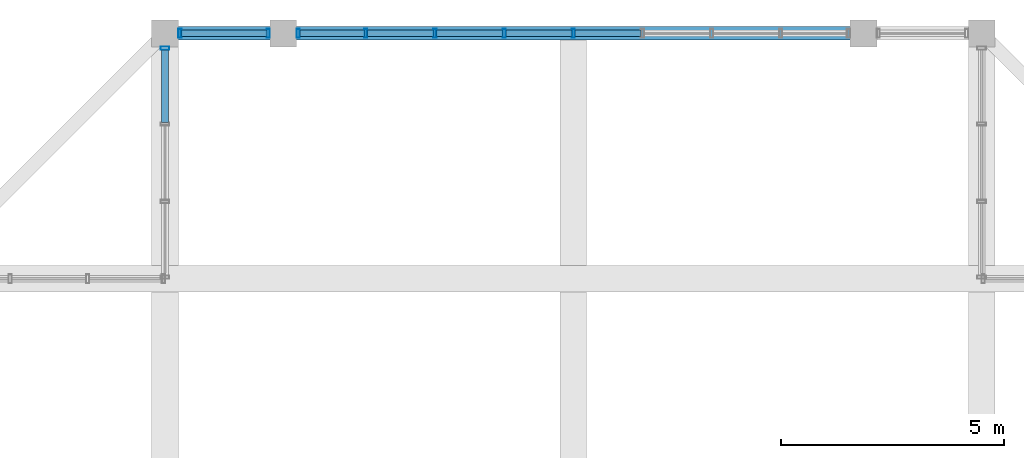
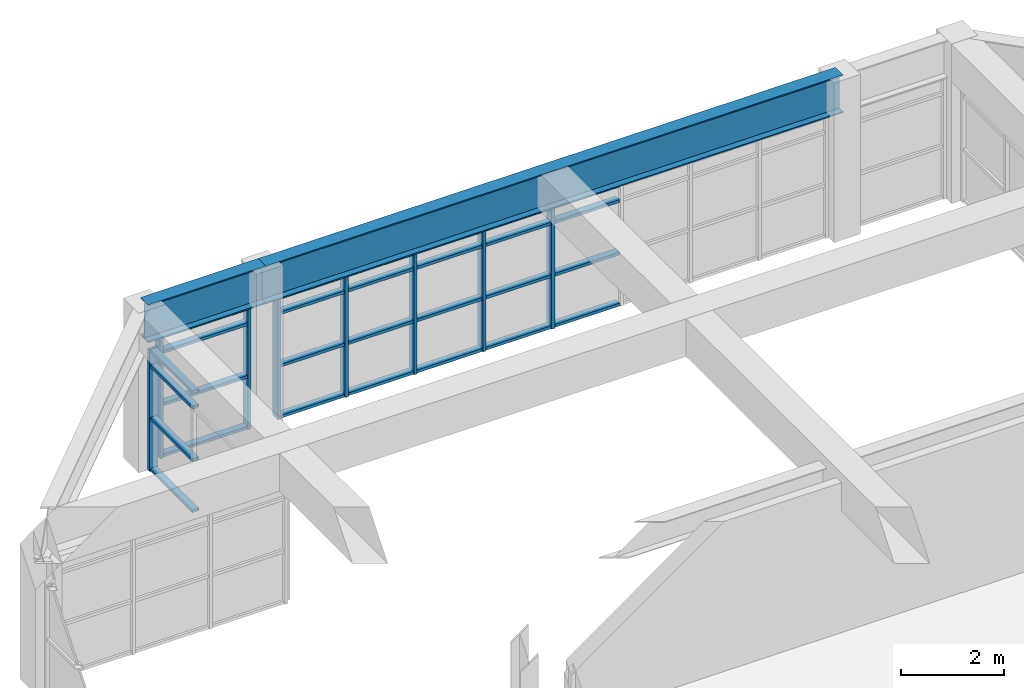
# One storey, part 20 of 28: 36 members, 2 beams, 3 elements without a shape of their own.
"""IFC4 building model written with IfcOpenShell, lengths in metres."""

from ifc_helpers import new_model, si_unit, direction, frame, origin, origin_2d, place, context, subcontext, project, spatial, hollow_rectangle, i_section, extrude, source, transform, mapped, material, layer, layer_set, material_profile, profile_set, type_object, element, aggregate, save


model = new_model("IFC4")

# Units and contexts
model_context = context("Model", 3, precision=1e-05, world=origin(), true_north=direction((0.0, 1.0)))
body_context = subcontext(model_context, "Body", "Model", "MODEL_VIEW")
ifc_project = project(units=[si_unit("LENGTHUNIT", "METRE"), si_unit("AREAUNIT", "SQUARE_METRE"), si_unit("VOLUMEUNIT", "CUBIC_METRE"), si_unit("PLANEANGLEUNIT", "RADIAN"), si_unit("MASSUNIT", "GRAM", prefix="KILO")], contexts=[model_context])

# Site, building, storey
site_placement = place(None, origin())
site = spatial("IfcSite", under=ifc_project, at=site_placement, CompositionType="ELEMENT")
building_placement = place(site_placement, origin())
building = spatial("IfcBuilding", under=site, at=building_placement, Name="Saelheon Loggia Tower", CompositionType="ELEMENT")
storey_placement = place(building_placement, frame((0.0, 0.0, 271.199951171875)))
storey = spatial("IfcBuildingStorey", under=building, at=storey_placement, Name="CR6", CompositionType="ELEMENT", Elevation=271.199951171875)

# Beams
ifc_material_1 = material(Name="Steel SM355", Category="steel")
ifc_material_profile_1 = material_profile(ifc_material_1, i_section(OverallWidth=0.300048828125, OverallDepth=0.89990234375, WebThickness=0.01611328125, FlangeThickness=0.028076171875, at=origin_2d()), Name="H-900x300x16x28")
ifc_profile_set_1 = profile_set([ifc_material_profile_1], Name="Steel SM355")
beam_type = type_object("IfcBeamType", Name="Beam_PoolGirder_Steel_H900", PredefinedType="BEAM", material=ifc_profile_set_1)
shared_shape_1 = source(origin(), body_context, "Body", "SweptSolid", [
    extrude(i_section(OverallWidth=0.300048828125, OverallDepth=0.89990234375, WebThickness=0.01611328125, FlangeThickness=0.028076171875, at=origin_2d()), origin(), (0.0, 0.0, 1.0), 2.64990234375),
])
beam_1_placement = place(storey_placement, frame((31.5, 47.64990234375, 3.35009765625), z_axis=(-1.0, 0.0, 0.0), x_axis=(0.0, -1.0, 0.0)))
element("IfcBeam", 1, at=beam_1_placement, inside=storey, type_object=beam_type, Name="CR6 CROWN FRAME Sill Girder 11", PredefinedType="BEAM", context=body_context, shape_type="MappedRepresentation", body=[
    mapped(shared_shape_1, transform((0.0, 0.0, 0.0), scale=1.0)),
])
shared_shape_2 = source(origin(), body_context, "Body", "SweptSolid", [
    extrude(i_section(OverallWidth=0.300048828125, OverallDepth=0.89990234375, WebThickness=0.01611328125, FlangeThickness=0.028076171875, at=origin_2d()), origin(), (0.0, 0.0, 1.0), 13.0),
])
beam_2_placement = place(storey_placement, frame((44.5, 47.64990234375, 3.35009765625), z_axis=(-1.0, 0.0, 0.0), x_axis=(0.0, -1.0, 0.0)))
element("IfcBeam", 2, at=beam_2_placement, inside=storey, type_object=beam_type, Name="CR6 CROWN FRAME Sill Girder 10", PredefinedType="BEAM", context=body_context, shape_type="MappedRepresentation", body=[
    mapped(shared_shape_2, transform((0.0, 0.0, 0.0), scale=1.0)),
])

# Curtain wall, members
ifc_material_2 = material(Name="Bronze-Anodised Aluminium and Fritted Ceramic Screen", Category="aluminium")
ifc_layer = layer(ifc_material_2, 0.219970703125)
ifc_layer_set = layer_set([ifc_layer], Name="Bronze-Anodised Aluminium and Fritted Ceramic Screen")
curtain_wall_type = type_object("IfcCurtainWallType", Name="CW_CrownScreen", PredefinedType="NOTDEFINED", material=ifc_layer_set)
curtain_wall_1_placement = place(storey_placement, origin())
curtain_wall_1 = element("IfcCurtainWall", 3, at=curtain_wall_1_placement, inside=storey, type_object=curtain_wall_type, Name="CR6 Crown Screen Curtain Wall 6-2", PredefinedType="NOTDEFINED")
ifc_material_3 = material(Name="Bronze-Anodised Aluminium 6063-T6", Category="aluminium")
ifc_material_profile_2 = material_profile(ifc_material_3, hollow_rectangle(XDim=0.070068359375, YDim=0.199951171875, WallThickness=0.0048828125, at=origin_2d()), Name="RHS-200x70x5")
ifc_profile_set_2 = profile_set([ifc_material_profile_2], Name="Bronze-Anodised Aluminium 6063-T6")
member_type_1 = type_object("IfcMemberType", Name="CW_CrownScreen_Mullion", PredefinedType="MULLION", material=ifc_profile_set_2)
shared_shape_3 = source(origin(), body_context, "Body", "SweptSolid", [
    extrude(hollow_rectangle(XDim=0.070068359375, YDim=0.199951171875, WallThickness=0.0048828125, at=origin_2d()), origin(), (0.0, 0.0, 1.0), 2.900146484375),
])
member_1_placement = place(storey_placement, frame((38.0, 47.64990234375, 0.0), z_axis=(0.0, 0.0, 1.0), x_axis=(-1.0, 0.0, 0.0)))
member_1 = element("IfcMember", 4, at=member_1_placement, type_object=member_type_1, Name="CW6 mullion 5", PredefinedType="MULLION", context=body_context, shape_type="MappedRepresentation", body=[
    mapped(shared_shape_3, transform((0.0, 0.0, 0.0), scale=1.0)),
])
member_2_placement = place(storey_placement, frame((36.449951171875, 47.64990234375, 0.0), z_axis=(0.0, 0.0, 1.0), x_axis=(-1.0, 0.0, 0.0)))
member_2 = element("IfcMember", 5, at=member_2_placement, type_object=member_type_1, Name="CW6 mullion 6", PredefinedType="MULLION", context=body_context, shape_type="MappedRepresentation", body=[
    mapped(shared_shape_3, transform((0.0, 0.0, 0.0), scale=1.0)),
])
member_3_placement = place(storey_placement, frame((34.89990234375, 47.64990234375, 0.0), z_axis=(0.0, 0.0, 1.0), x_axis=(-1.0, 0.0, 0.0)))
member_3 = element("IfcMember", 6, at=member_3_placement, type_object=member_type_1, Name="CW6 mullion 7", PredefinedType="MULLION", context=body_context, shape_type="MappedRepresentation", body=[
    mapped(shared_shape_3, transform((0.0, 0.0, 0.0), scale=1.0)),
])
member_4_placement = place(storey_placement, frame((33.35009765625, 47.64990234375, 0.0), z_axis=(0.0, 0.0, 1.0), x_axis=(-1.0, 0.0, 0.0)))
member_4 = element("IfcMember", 7, at=member_4_placement, type_object=member_type_1, Name="CW6 mullion 8", PredefinedType="MULLION", context=body_context, shape_type="MappedRepresentation", body=[
    mapped(shared_shape_3, transform((0.0, 0.0, 0.0), scale=1.0)),
])
member_5_placement = place(storey_placement, frame((31.8349609375, 47.64990234375, 0.0), z_axis=(0.0, 0.0, 1.0), x_axis=(-1.0, 0.0, 0.0)))
member_5 = element("IfcMember", 8, at=member_5_placement, type_object=member_type_1, Name="CW6 mullion 9", PredefinedType="MULLION", context=body_context, shape_type="MappedRepresentation", body=[
    mapped(shared_shape_3, transform((0.0, 0.0, 0.0), scale=1.0)),
])

curtain_wall_2_placement = place(storey_placement, origin())
curtain_wall_2 = element("IfcCurtainWall", 9, at=curtain_wall_2_placement, inside=storey, type_object=curtain_wall_type, Name="CR6 Crown Screen Curtain Wall 6-3", PredefinedType="NOTDEFINED")
member_6_placement = place(storey_placement, frame((31.1650390625, 47.64990234375, 0.0), z_axis=(0.0, 0.0, 1.0), x_axis=(-1.0, 0.0, 0.0)))
member_6 = element("IfcMember", 10, at=member_6_placement, type_object=member_type_1, Name="CW6 mullion 1", PredefinedType="MULLION", context=body_context, shape_type="MappedRepresentation", body=[
    mapped(shared_shape_3, transform((0.0, 0.0, 0.0), scale=1.0)),
])
member_7_placement = place(storey_placement, frame((29.18505859375, 47.64990234375, 0.0), z_axis=(0.0, 0.0, 1.0), x_axis=(-1.0, 0.0, 0.0)))
member_7 = element("IfcMember", 11, at=member_7_placement, type_object=member_type_1, Name="CW6 mullion 2", PredefinedType="MULLION", context=body_context, shape_type="MappedRepresentation", body=[
    mapped(shared_shape_3, transform((0.0, 0.0, 0.0), scale=1.0)),
])

# Curtain wall, member
curtain_wall_3_placement = place(storey_placement, origin())
curtain_wall_3 = element("IfcCurtainWall", 12, at=curtain_wall_3_placement, inside=storey, type_object=curtain_wall_type, Name="CR6 Crown Screen Curtain Wall 7-1", PredefinedType="NOTDEFINED")
member_8_placement = place(storey_placement, frame((28.85009765625, 47.31494140625, 0.0), z_axis=(0.0, 0.0, 1.0), x_axis=(0.0, -1.0, 0.0)))
member_8 = element("IfcMember", 13, at=member_8_placement, type_object=member_type_1, Name="CW6 mullion 1", PredefinedType="MULLION", context=body_context, shape_type="MappedRepresentation", body=[
    mapped(shared_shape_3, transform((0.0, 0.0, 0.0), scale=1.0)),
])

# Member
ifc_material_profile_3 = material_profile(ifc_material_3, hollow_rectangle(XDim=0.070068359375, YDim=0.14990234375, WallThickness=0.0048828125, at=origin_2d()), Name="RHS-150x70x5")
ifc_profile_set_3 = profile_set([ifc_material_profile_3], Name="Bronze-Anodised Aluminium 6063-T6")
member_type_2 = type_object("IfcMemberType", Name="CW_CrownScreen_Transom", PredefinedType="USERDEFINED", material=ifc_profile_set_3)
shared_shape_4 = source(origin(), body_context, "Body", "SweptSolid", [
    extrude(hollow_rectangle(XDim=0.070068359375, YDim=0.14990234375, WallThickness=0.0048828125, at=origin_2d()), origin(), (0.0, 0.0, 1.0), 1.909912109375),
])
member_9_placement = place(storey_placement, frame((31.1298828125, 47.64990234375, 0.03515625), z_axis=(-1.0, 0.0, 0.0), x_axis=(0.0, 0.0, 1.0)))
member_9 = element("IfcMember", 14, at=member_9_placement, type_object=member_type_2, Name="CW6 transom 1.1", ObjectType="TRANSOM", PredefinedType="USERDEFINED", context=body_context, shape_type="MappedRepresentation", body=[
    mapped(shared_shape_4, transform((0.0, 0.0, 0.0), scale=1.0)),
])

member_10_placement = place(storey_placement, frame((31.1298828125, 47.64990234375, 1.25), z_axis=(-1.0, 0.0, 0.0), x_axis=(0.0, 0.0, 1.0)))
member_10 = element("IfcMember", 15, at=member_10_placement, type_object=member_type_2, Name="CW6 transom 1.2", ObjectType="TRANSOM", PredefinedType="USERDEFINED", context=body_context, shape_type="MappedRepresentation", body=[
    mapped(shared_shape_4, transform((0.0, 0.0, 0.0), scale=1.0)),
])

member_11_placement = place(storey_placement, frame((31.1298828125, 47.64990234375, 2.5), z_axis=(-1.0, 0.0, 0.0), x_axis=(0.0, 0.0, 1.0)))
member_11 = element("IfcMember", 16, at=member_11_placement, type_object=member_type_2, Name="CW6 transom 1.3", ObjectType="TRANSOM", PredefinedType="USERDEFINED", context=body_context, shape_type="MappedRepresentation", body=[
    mapped(shared_shape_4, transform((0.0, 0.0, 0.0), scale=1.0)),
])

member_12_placement = place(storey_placement, frame((31.1298828125, 47.64990234375, 2.864990234375), z_axis=(-1.0, 0.0, 0.0), x_axis=(0.0, 0.0, 1.0)))
member_12 = element("IfcMember", 17, at=member_12_placement, type_object=member_type_2, Name="CW6 transom 1.4", ObjectType="TRANSOM", PredefinedType="USERDEFINED", context=body_context, shape_type="MappedRepresentation", body=[
    mapped(shared_shape_4, transform((0.0, 0.0, 0.0), scale=1.0)),
])

aggregate(curtain_wall_2, [member_6, member_7, member_9, member_10, member_11, member_12])

shared_shape_5 = source(origin(), body_context, "Body", "SweptSolid", [
    extrude(hollow_rectangle(XDim=0.070068359375, YDim=0.14990234375, WallThickness=0.0048828125, at=origin_2d()), origin(), (0.0, 0.0, 1.0), 1.44482421875),
])
member_13_placement = place(storey_placement, frame((33.31494140625, 47.64990234375, 0.03515625), z_axis=(-1.0, 0.0, 0.0), x_axis=(0.0, 0.0, 1.0)))
member_13 = element("IfcMember", 18, at=member_13_placement, type_object=member_type_2, Name="CW6 transom 8.1", ObjectType="TRANSOM", PredefinedType="USERDEFINED", context=body_context, shape_type="MappedRepresentation", body=[
    mapped(shared_shape_5, transform((0.0, 0.0, 0.0), scale=1.0)),
])

member_14_placement = place(storey_placement, frame((33.31494140625, 47.64990234375, 1.25), z_axis=(-1.0, 0.0, 0.0), x_axis=(0.0, 0.0, 1.0)))
member_14 = element("IfcMember", 19, at=member_14_placement, type_object=member_type_2, Name="CW6 transom 8.2", ObjectType="TRANSOM", PredefinedType="USERDEFINED", context=body_context, shape_type="MappedRepresentation", body=[
    mapped(shared_shape_5, transform((0.0, 0.0, 0.0), scale=1.0)),
])

member_15_placement = place(storey_placement, frame((33.31494140625, 47.64990234375, 2.5), z_axis=(-1.0, 0.0, 0.0), x_axis=(0.0, 0.0, 1.0)))
member_15 = element("IfcMember", 20, at=member_15_placement, type_object=member_type_2, Name="CW6 transom 8.3", ObjectType="TRANSOM", PredefinedType="USERDEFINED", context=body_context, shape_type="MappedRepresentation", body=[
    mapped(shared_shape_5, transform((0.0, 0.0, 0.0), scale=1.0)),
])

member_16_placement = place(storey_placement, frame((33.31494140625, 47.64990234375, 2.864990234375), z_axis=(-1.0, 0.0, 0.0), x_axis=(0.0, 0.0, 1.0)))
member_16 = element("IfcMember", 21, at=member_16_placement, type_object=member_type_2, Name="CW6 transom 8.4", ObjectType="TRANSOM", PredefinedType="USERDEFINED", context=body_context, shape_type="MappedRepresentation", body=[
    mapped(shared_shape_5, transform((0.0, 0.0, 0.0), scale=1.0)),
])

shared_shape_6 = source(origin(), body_context, "Body", "SweptSolid", [
    extrude(hollow_rectangle(XDim=0.070068359375, YDim=0.14990234375, WallThickness=0.0048828125, at=origin_2d()), origin(), (0.0, 0.0, 1.0), 1.47998046875),
])
member_17_placement = place(storey_placement, frame((39.514892578125, 47.64990234375, 0.03515625), z_axis=(-1.0, 0.0, 0.0), x_axis=(0.0, 0.0, 1.0)))
member_17 = element("IfcMember", 22, at=member_17_placement, type_object=member_type_2, Name="CW6 transom 4.1", ObjectType="TRANSOM", PredefinedType="USERDEFINED", context=body_context, shape_type="MappedRepresentation", body=[
    mapped(shared_shape_6, transform((0.0, 0.0, 0.0), scale=1.0)),
])

member_18_placement = place(storey_placement, frame((39.514892578125, 47.64990234375, 1.25), z_axis=(-1.0, 0.0, 0.0), x_axis=(0.0, 0.0, 1.0)))
member_18 = element("IfcMember", 23, at=member_18_placement, type_object=member_type_2, Name="CW6 transom 4.2", ObjectType="TRANSOM", PredefinedType="USERDEFINED", context=body_context, shape_type="MappedRepresentation", body=[
    mapped(shared_shape_6, transform((0.0, 0.0, 0.0), scale=1.0)),
])

member_19_placement = place(storey_placement, frame((39.514892578125, 47.64990234375, 2.5), z_axis=(-1.0, 0.0, 0.0), x_axis=(0.0, 0.0, 1.0)))
member_19 = element("IfcMember", 24, at=member_19_placement, type_object=member_type_2, Name="CW6 transom 4.3", ObjectType="TRANSOM", PredefinedType="USERDEFINED", context=body_context, shape_type="MappedRepresentation", body=[
    mapped(shared_shape_6, transform((0.0, 0.0, 0.0), scale=1.0)),
])

member_20_placement = place(storey_placement, frame((39.514892578125, 47.64990234375, 2.864990234375), z_axis=(-1.0, 0.0, 0.0), x_axis=(0.0, 0.0, 1.0)))
member_20 = element("IfcMember", 25, at=member_20_placement, type_object=member_type_2, Name="CW6 transom 4.4", ObjectType="TRANSOM", PredefinedType="USERDEFINED", context=body_context, shape_type="MappedRepresentation", body=[
    mapped(shared_shape_6, transform((0.0, 0.0, 0.0), scale=1.0)),
])

member_21_placement = place(storey_placement, frame((37.965087890625, 47.64990234375, 0.03515625), z_axis=(-1.0, 0.0, 0.0), x_axis=(0.0, 0.0, 1.0)))
member_21 = element("IfcMember", 26, at=member_21_placement, type_object=member_type_2, Name="CW6 transom 5.1", ObjectType="TRANSOM", PredefinedType="USERDEFINED", context=body_context, shape_type="MappedRepresentation", body=[
    mapped(shared_shape_6, transform((0.0, 0.0, 0.0), scale=1.0)),
])

member_22_placement = place(storey_placement, frame((37.965087890625, 47.64990234375, 1.25), z_axis=(-1.0, 0.0, 0.0), x_axis=(0.0, 0.0, 1.0)))
member_22 = element("IfcMember", 27, at=member_22_placement, type_object=member_type_2, Name="CW6 transom 5.2", ObjectType="TRANSOM", PredefinedType="USERDEFINED", context=body_context, shape_type="MappedRepresentation", body=[
    mapped(shared_shape_6, transform((0.0, 0.0, 0.0), scale=1.0)),
])

member_23_placement = place(storey_placement, frame((37.965087890625, 47.64990234375, 2.5), z_axis=(-1.0, 0.0, 0.0), x_axis=(0.0, 0.0, 1.0)))
member_23 = element("IfcMember", 28, at=member_23_placement, type_object=member_type_2, Name="CW6 transom 5.3", ObjectType="TRANSOM", PredefinedType="USERDEFINED", context=body_context, shape_type="MappedRepresentation", body=[
    mapped(shared_shape_6, transform((0.0, 0.0, 0.0), scale=1.0)),
])

member_24_placement = place(storey_placement, frame((37.965087890625, 47.64990234375, 2.864990234375), z_axis=(-1.0, 0.0, 0.0), x_axis=(0.0, 0.0, 1.0)))
member_24 = element("IfcMember", 29, at=member_24_placement, type_object=member_type_2, Name="CW6 transom 5.4", ObjectType="TRANSOM", PredefinedType="USERDEFINED", context=body_context, shape_type="MappedRepresentation", body=[
    mapped(shared_shape_6, transform((0.0, 0.0, 0.0), scale=1.0)),
])

member_25_placement = place(storey_placement, frame((36.4150390625, 47.64990234375, 0.03515625), z_axis=(-1.0, 0.0, 0.0), x_axis=(0.0, 0.0, 1.0)))
member_25 = element("IfcMember", 30, at=member_25_placement, type_object=member_type_2, Name="CW6 transom 6.1", ObjectType="TRANSOM", PredefinedType="USERDEFINED", context=body_context, shape_type="MappedRepresentation", body=[
    mapped(shared_shape_6, transform((0.0, 0.0, 0.0), scale=1.0)),
])

member_26_placement = place(storey_placement, frame((36.4150390625, 47.64990234375, 1.25), z_axis=(-1.0, 0.0, 0.0), x_axis=(0.0, 0.0, 1.0)))
member_26 = element("IfcMember", 31, at=member_26_placement, type_object=member_type_2, Name="CW6 transom 6.2", ObjectType="TRANSOM", PredefinedType="USERDEFINED", context=body_context, shape_type="MappedRepresentation", body=[
    mapped(shared_shape_6, transform((0.0, 0.0, 0.0), scale=1.0)),
])

member_27_placement = place(storey_placement, frame((36.4150390625, 47.64990234375, 2.5), z_axis=(-1.0, 0.0, 0.0), x_axis=(0.0, 0.0, 1.0)))
member_27 = element("IfcMember", 32, at=member_27_placement, type_object=member_type_2, Name="CW6 transom 6.3", ObjectType="TRANSOM", PredefinedType="USERDEFINED", context=body_context, shape_type="MappedRepresentation", body=[
    mapped(shared_shape_6, transform((0.0, 0.0, 0.0), scale=1.0)),
])

member_28_placement = place(storey_placement, frame((36.4150390625, 47.64990234375, 2.864990234375), z_axis=(-1.0, 0.0, 0.0), x_axis=(0.0, 0.0, 1.0)))
member_28 = element("IfcMember", 33, at=member_28_placement, type_object=member_type_2, Name="CW6 transom 6.4", ObjectType="TRANSOM", PredefinedType="USERDEFINED", context=body_context, shape_type="MappedRepresentation", body=[
    mapped(shared_shape_6, transform((0.0, 0.0, 0.0), scale=1.0)),
])

member_29_placement = place(storey_placement, frame((34.864990234375, 47.64990234375, 0.03515625), z_axis=(-1.0, 0.0, 0.0), x_axis=(0.0, 0.0, 1.0)))
member_29 = element("IfcMember", 34, at=member_29_placement, type_object=member_type_2, Name="CW6 transom 7.1", ObjectType="TRANSOM", PredefinedType="USERDEFINED", context=body_context, shape_type="MappedRepresentation", body=[
    mapped(shared_shape_6, transform((0.0, 0.0, 0.0), scale=1.0)),
])

member_30_placement = place(storey_placement, frame((34.864990234375, 47.64990234375, 1.25), z_axis=(-1.0, 0.0, 0.0), x_axis=(0.0, 0.0, 1.0)))
member_30 = element("IfcMember", 35, at=member_30_placement, type_object=member_type_2, Name="CW6 transom 7.2", ObjectType="TRANSOM", PredefinedType="USERDEFINED", context=body_context, shape_type="MappedRepresentation", body=[
    mapped(shared_shape_6, transform((0.0, 0.0, 0.0), scale=1.0)),
])

member_31_placement = place(storey_placement, frame((34.864990234375, 47.64990234375, 2.5), z_axis=(-1.0, 0.0, 0.0), x_axis=(0.0, 0.0, 1.0)))
member_31 = element("IfcMember", 36, at=member_31_placement, type_object=member_type_2, Name="CW6 transom 7.3", ObjectType="TRANSOM", PredefinedType="USERDEFINED", context=body_context, shape_type="MappedRepresentation", body=[
    mapped(shared_shape_6, transform((0.0, 0.0, 0.0), scale=1.0)),
])

member_32_placement = place(storey_placement, frame((34.864990234375, 47.64990234375, 2.864990234375), z_axis=(-1.0, 0.0, 0.0), x_axis=(0.0, 0.0, 1.0)))
member_32 = element("IfcMember", 37, at=member_32_placement, type_object=member_type_2, Name="CW6 transom 7.4", ObjectType="TRANSOM", PredefinedType="USERDEFINED", context=body_context, shape_type="MappedRepresentation", body=[
    mapped(shared_shape_6, transform((0.0, 0.0, 0.0), scale=1.0)),
])

aggregate(curtain_wall_1, [member_1, member_2, member_3, member_4, member_5, member_17, member_18, member_19, member_20, member_21, member_22, member_23, member_24, member_25, member_26, member_27, member_28, member_29, member_30, member_31, member_32, member_13, member_14, member_15, member_16])

shared_shape_7 = source(origin(), body_context, "Body", "SweptSolid", [
    extrude(hollow_rectangle(XDim=0.070068359375, YDim=0.14990234375, WallThickness=0.0048828125, at=origin_2d()), origin(), (0.0, 0.0, 1.0), 1.62841796875),
])
member_33_placement = place(storey_placement, frame((28.85009765625, 47.280029296875, 0.03515625), z_axis=(0.0, -1.0, 0.0), x_axis=(0.0, 0.0, 1.0)))
member_33 = element("IfcMember", 38, at=member_33_placement, type_object=member_type_2, Name="CW6 transom 1.1", ObjectType="TRANSOM", PredefinedType="USERDEFINED", context=body_context, shape_type="MappedRepresentation", body=[
    mapped(shared_shape_7, transform((0.0, 0.0, 0.0), scale=1.0)),
])

member_34_placement = place(storey_placement, frame((28.85009765625, 47.280029296875, 1.25), z_axis=(0.0, -1.0, 0.0), x_axis=(0.0, 0.0, 1.0)))
member_34 = element("IfcMember", 39, at=member_34_placement, type_object=member_type_2, Name="CW6 transom 1.2", ObjectType="TRANSOM", PredefinedType="USERDEFINED", context=body_context, shape_type="MappedRepresentation", body=[
    mapped(shared_shape_7, transform((0.0, 0.0, 0.0), scale=1.0)),
])

member_35_placement = place(storey_placement, frame((28.85009765625, 47.280029296875, 2.5), z_axis=(0.0, -1.0, 0.0), x_axis=(0.0, 0.0, 1.0)))
member_35 = element("IfcMember", 40, at=member_35_placement, type_object=member_type_2, Name="CW6 transom 1.3", ObjectType="TRANSOM", PredefinedType="USERDEFINED", context=body_context, shape_type="MappedRepresentation", body=[
    mapped(shared_shape_7, transform((0.0, 0.0, 0.0), scale=1.0)),
])

member_36_placement = place(storey_placement, frame((28.85009765625, 47.280029296875, 2.864990234375), z_axis=(0.0, -1.0, 0.0), x_axis=(0.0, 0.0, 1.0)))
member_36 = element("IfcMember", 41, at=member_36_placement, type_object=member_type_2, Name="CW6 transom 1.4", ObjectType="TRANSOM", PredefinedType="USERDEFINED", context=body_context, shape_type="MappedRepresentation", body=[
    mapped(shared_shape_7, transform((0.0, 0.0, 0.0), scale=1.0)),
])

aggregate(curtain_wall_3, [member_8, member_33, member_34, member_35, member_36])

save(model, "model.ifc")
